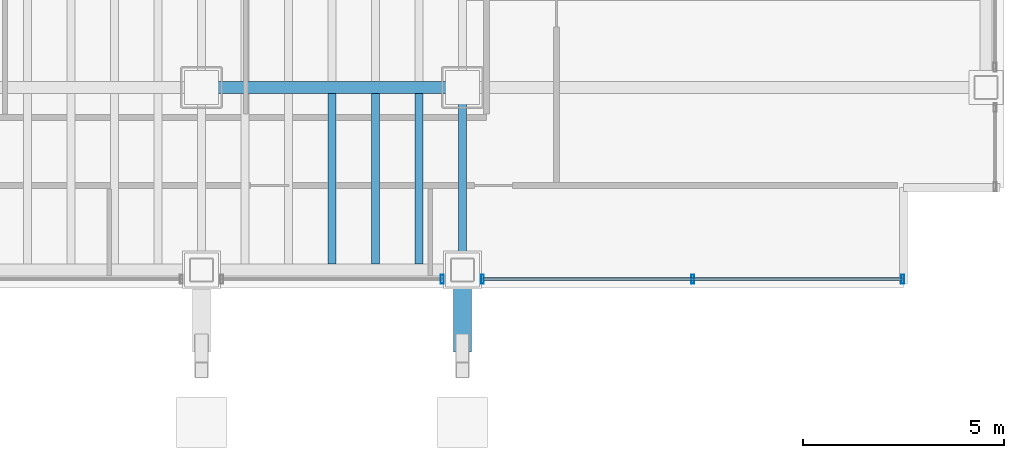
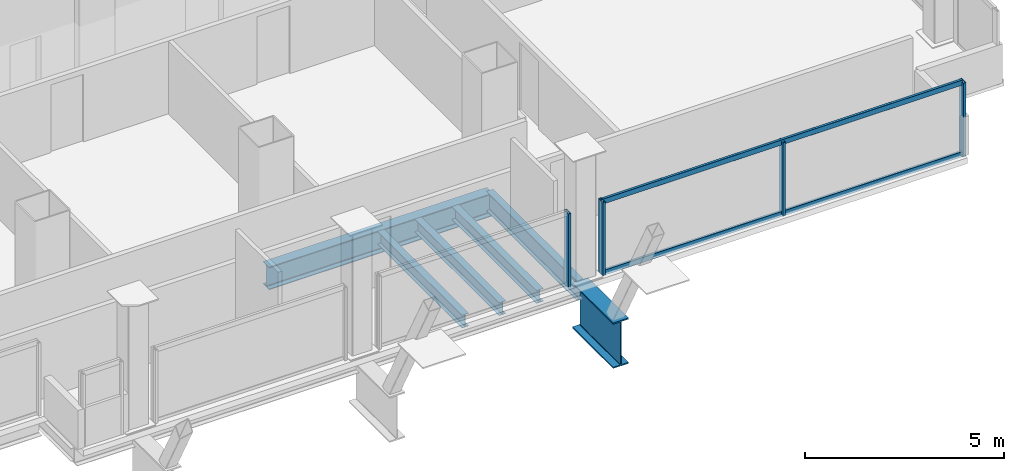
# One storey, part 8 of 21: 6 beams, 6 members, 2 elements without a shape of their own.
"""IFC4 building model written with IfcOpenShell, lengths in metres."""

from ifc_helpers import new_model, si_unit, direction, frame, origin, origin_2d, place, context, subcontext, project, spatial, hollow_rectangle, i_section, extrude, material, material_profile, profile_set, type_object, element, aggregate, save


model = new_model("IFC4")

# Units and contexts
model_context = context("Model", 3, precision=1e-05, world=origin(), true_north=direction((0.0, 1.0)))
body_context = subcontext(model_context, "Body", "Model", "MODEL_VIEW")
ifc_project = project(units=[si_unit("LENGTHUNIT", "METRE"), si_unit("AREAUNIT", "SQUARE_METRE"), si_unit("VOLUMEUNIT", "CUBIC_METRE"), si_unit("PLANEANGLEUNIT", "RADIAN"), si_unit("MASSUNIT", "GRAM", prefix="KILO")], contexts=[model_context])

# Site, building, storey
site_placement = place(None, origin())
site = spatial("IfcSite", under=ifc_project, at=site_placement, CompositionType="ELEMENT")
building_placement = place(site_placement, origin())
building = spatial("IfcBuilding", under=site, at=building_placement, Name="Noeulbin Bourse Tower", CompositionType="ELEMENT")
storey_placement = place(building_placement, frame((0.0, 0.0, 77.199951171875)))
storey = spatial("IfcBuildingStorey", under=building, at=storey_placement, Name="L19", CompositionType="ELEMENT", Elevation=77.199951171875)

# Beams
ifc_material_1 = material(Name="Steel S355", Category="steel")
ifc_material_profile_1 = material_profile(ifc_material_1, i_section(OverallWidth=0.199951171875, OverallDepth=0.60009765625, WebThickness=0.010986328125, FlangeThickness=0.01708984375, FilletRadius=0.02197265625, at=origin_2d()), Name="H-600x200x11x17", Category="LoadBearing")
ifc_profile_set_1 = profile_set([ifc_material_profile_1], Name="Steel S355")
beam_type_1 = type_object("IfcBeamType", Name="BM-GRD-600", PredefinedType="USERDEFINED", material=ifc_profile_set_1)
beam_1_placement = place(storey_placement, frame((44.0, 15.449951171875, -0.47998046875), z_axis=(0.0, 1.0, 0.0), x_axis=(-1.0, 0.0, 0.0)))
element("IfcBeam", 1, at=beam_1_placement, inside=storey, type_object=beam_type_1, Name="Tower Primary Girder NS L19-5.1", ObjectType="GIRDER", PredefinedType="USERDEFINED", context=body_context, shape_type="SweptSolid", body=[
    extrude(i_section(OverallWidth=0.199951171875, OverallDepth=0.60009765625, WebThickness=0.010986328125, FlangeThickness=0.01708984375, FilletRadius=0.02197265625, at=origin_2d()), origin(), (0.0, 0.0, 1.0), 4.550048828125),
])
ifc_material_profile_2 = material_profile(ifc_material_1, i_section(OverallWidth=0.300048828125, OverallDepth=0.699951171875, WebThickness=0.012939453125, FlangeThickness=0.02392578125, FilletRadius=0.02392578125, at=origin_2d()), Name="H-700x300x13x24", Category="LoadBearing")
ifc_profile_set_2 = profile_set([ifc_material_profile_2], Name="Steel S355")
beam_type_2 = type_object("IfcBeamType", Name="BM-GRD-700", PredefinedType="USERDEFINED", material=ifc_profile_set_2)
beam_2_placement = place(storey_placement, frame((37.5, 20.0, -0.530029296875), z_axis=(1.0, 0.0, 0.0), x_axis=(0.0, 1.0, 0.0)))
element("IfcBeam", 2, at=beam_2_placement, inside=storey, type_object=beam_type_2, Name="Tower Primary Girder EW L19-1.5", ObjectType="GIRDER", PredefinedType="USERDEFINED", context=body_context, shape_type="SweptSolid", body=[
    extrude(i_section(OverallWidth=0.300048828125, OverallDepth=0.699951171875, WebThickness=0.012939453125, FlangeThickness=0.02392578125, FilletRadius=0.02392578125, at=origin_2d()), origin(), (0.0, 0.0, 1.0), 6.5),
])
ifc_material_profile_3 = material_profile(ifc_material_1, i_section(OverallWidth=0.199951171875, OverallDepth=0.39990234375, WebThickness=0.008056640625, FlangeThickness=0.012939453125, FilletRadius=0.01611328125, at=origin_2d()), Name="H-400x200x8x13", Category="LoadBearing")
ifc_profile_set_3 = profile_set([ifc_material_profile_3], Name="Steel S355")
beam_type_3 = type_object("IfcBeamType", Name="BM-SEC-400", PredefinedType="BEAM", material=ifc_profile_set_3)
for number, where, z_axis, x_axis, name in (
    (3, (40.75, 15.60009765625, -0.3798828125), (0.0, 1.0, 0.0), (-1.0, 0.0, 0.0), "Tower Composite Joist L19-61"),
    (4, (41.833251953125, 15.60009765625, -0.3798828125), (0.0, 1.0, 0.0), (-1.0, 0.0, 0.0), "Tower Composite Joist L19-64"),
    (5, (42.916748046875, 15.60009765625, -0.3798828125), (0.0, 1.0, 0.0), (-1.0, 0.0, 0.0), "Tower Composite Joist L19-67"),
):
    element("IfcBeam", number, at=place(storey_placement, frame(where, z_axis=z_axis, x_axis=x_axis)), inside=storey, type_object=beam_type_3, Name=name, PredefinedType="BEAM", context=body_context, shape_type="SweptSolid", body=[
        extrude(i_section(OverallWidth=0.199951171875, OverallDepth=0.39990234375, WebThickness=0.008056640625, FlangeThickness=0.012939453125, FilletRadius=0.01611328125, at=origin_2d()), origin(), (0.0, 0.0, 1.0), 4.25),
    ])
ifc_material_2 = material(Name="Steel S460", Category="steel")
ifc_material_profile_4 = material_profile(ifc_material_2, i_section(OverallWidth=0.449951171875, OverallDepth=1.39990234375, WebThickness=0.02392578125, FlangeThickness=0.0400390625, FilletRadius=0.02392578125, at=origin_2d()), Name="PG-1400x450x24x40", Category="LoadBearing")
ifc_profile_set_4 = profile_set([ifc_material_profile_4], Name="Steel S460")
beam_type_4 = type_object("IfcBeamType", Name="BM-TRF-1400", PredefinedType="USERDEFINED", material=ifc_profile_set_4)
beam_3_placement = place(storey_placement, frame((44.0, 13.39990234375, -0.8798828125), z_axis=(0.0, 1.0, 0.0), x_axis=(-1.0, 0.0, 0.0)))
element("IfcBeam", 6, at=beam_3_placement, inside=storey, type_object=beam_type_4, Name="Transfer Outrigger Corbel L19-05", ObjectType="GIRDER", PredefinedType="USERDEFINED", context=body_context, shape_type="SweptSolid", body=[
    extrude(i_section(OverallWidth=0.449951171875, OverallDepth=1.39990234375, WebThickness=0.02392578125, FlangeThickness=0.0400390625, FilletRadius=0.02392578125, at=origin_2d()), origin(), (0.0, 0.0, 1.0), 2.050048828125),
])

# Curtain wall, member
ifc_material_3 = material(Name="Dark Solar-Control Double Glazing", Category="glass")
curtain_wall_type = type_object("IfcCurtainWallType", Name="CW-SYS-2", PredefinedType="NOTDEFINED", material=ifc_material_3)
curtain_wall_1_placement = place(storey_placement, origin())
curtain_wall_1 = element("IfcCurtainWall", 7, at=curtain_wall_1_placement, inside=storey, type_object=curtain_wall_type, Name="Unitised Curtain Wall CW-L19-S3-S3", PredefinedType="NOTDEFINED")
ifc_material_4 = material(Name="Anodised Aluminium 6063-T6", Category="aluminium")
ifc_material_profile_5 = material_profile(ifc_material_4, hollow_rectangle(XDim=0.074951171875, YDim=0.219970703125, WallThickness=0.0048828125, InnerFilletRadius=0.00244140625, OuterFilletRadius=0.0048828125, at=origin_2d()), Name="ALU-MULL-75x220x5", Category="LoadBearing")
ifc_profile_set_5 = profile_set([ifc_material_profile_5], Name="Anodised Aluminium 6063-T6")
member_type_1 = type_object("IfcMemberType", Name="CW-SYS-2-MUL", PredefinedType="MULLION", material=ifc_profile_set_5)
member_1_placement = place(storey_placement, frame((43.5, 15.219970703125, -0.02001953125), z_axis=(0.0, 0.0, 1.0), x_axis=(1.0, 0.0, 0.0)))
member_1 = element("IfcMember", 8, at=member_1_placement, type_object=member_type_1, Name="Curtain Wall Mullion CW-L19-S3-S3-M01", PredefinedType="MULLION", context=body_context, shape_type="SweptSolid", body=[
    extrude(hollow_rectangle(XDim=0.074951171875, YDim=0.219970703125, WallThickness=0.0048828125, InnerFilletRadius=0.00244140625, OuterFilletRadius=0.0048828125, at=origin_2d()), origin(), (0.0, 0.0, 1.0), 2.260009765625),
])
aggregate(curtain_wall_1, [member_1])

# Curtain wall, members
curtain_wall_2_placement = place(storey_placement, origin())
curtain_wall_2 = element("IfcCurtainWall", 9, at=curtain_wall_2_placement, inside=storey, type_object=curtain_wall_type, Name="Unitised Curtain Wall CW-L19-S3-S4", PredefinedType="NOTDEFINED")
member_2_placement = place(storey_placement, frame((44.5, 15.219970703125, -0.02001953125), z_axis=(0.0, 0.0, 1.0), x_axis=(1.0, 0.0, 0.0)))
member_2 = element("IfcMember", 10, at=member_2_placement, type_object=member_type_1, Name="Curtain Wall Mullion CW-L19-S3-S4-M00", PredefinedType="MULLION", context=body_context, shape_type="SweptSolid", body=[
    extrude(hollow_rectangle(XDim=0.074951171875, YDim=0.219970703125, WallThickness=0.0048828125, InnerFilletRadius=0.00244140625, OuterFilletRadius=0.0048828125, at=origin_2d()), origin(), (0.0, 0.0, 1.0), 2.260009765625),
])
member_3_placement = place(storey_placement, frame((49.739990234375, 15.219970703125, -0.02001953125), z_axis=(0.0, 0.0, 1.0), x_axis=(1.0, 0.0, 0.0)))
member_3 = element("IfcMember", 11, at=member_3_placement, type_object=member_type_1, Name="Curtain Wall Mullion CW-L19-S3-S4-M01", PredefinedType="MULLION", context=body_context, shape_type="SweptSolid", body=[
    extrude(hollow_rectangle(XDim=0.074951171875, YDim=0.219970703125, WallThickness=0.0048828125, InnerFilletRadius=0.00244140625, OuterFilletRadius=0.0048828125, at=origin_2d()), origin(), (0.0, 0.0, 1.0), 2.260009765625),
])
member_4_placement = place(storey_placement, frame((54.97998046875, 15.219970703125, -0.02001953125), z_axis=(0.0, 0.0, 1.0), x_axis=(1.0, 0.0, 0.0)))
member_4 = element("IfcMember", 12, at=member_4_placement, type_object=member_type_1, Name="Curtain Wall Mullion CW-L19-S3-S4-M02", PredefinedType="MULLION", context=body_context, shape_type="SweptSolid", body=[
    extrude(hollow_rectangle(XDim=0.074951171875, YDim=0.219970703125, WallThickness=0.0048828125, InnerFilletRadius=0.00244140625, OuterFilletRadius=0.0048828125, at=origin_2d()), origin(), (0.0, 0.0, 1.0), 2.260009765625),
])
ifc_material_profile_6 = material_profile(ifc_material_4, hollow_rectangle(XDim=0.074951171875, YDim=0.159912109375, WallThickness=0.0048828125, InnerFilletRadius=0.00244140625, OuterFilletRadius=0.0048828125, at=origin_2d()), Name="ALU-TRAN-75x160x5", Category="LoadBearing")
ifc_profile_set_6 = profile_set([ifc_material_profile_6], Name="Anodised Aluminium 6063-T6")
member_type_2 = type_object("IfcMemberType", Name="CW-SYS-2-TRN", PredefinedType="USERDEFINED", material=ifc_profile_set_6)
member_5_placement = place(storey_placement, frame((44.510009765625, 15.219970703125, 0.010009765625), z_axis=(1.0, 0.0, 0.0), x_axis=(0.0, 1.0, 0.0)))
member_5 = element("IfcMember", 13, at=member_5_placement, type_object=member_type_2, Name="Curtain Wall Transom CW-L19-S3-S4-T00", ObjectType="TRANSOM", PredefinedType="USERDEFINED", context=body_context, shape_type="SweptSolid", body=[
    extrude(hollow_rectangle(XDim=0.074951171875, YDim=0.159912109375, WallThickness=0.0048828125, InnerFilletRadius=0.00244140625, OuterFilletRadius=0.0048828125, at=origin_2d()), origin(), (0.0, 0.0, 1.0), 10.4599609375),
])
member_6_placement = place(storey_placement, frame((44.510009765625, 15.219970703125, 2.2099609375), z_axis=(1.0, 0.0, 0.0), x_axis=(0.0, 1.0, 0.0)))
member_6 = element("IfcMember", 14, at=member_6_placement, type_object=member_type_2, Name="Curtain Wall Transom CW-L19-S3-S4-T01", ObjectType="TRANSOM", PredefinedType="USERDEFINED", context=body_context, shape_type="SweptSolid", body=[
    extrude(hollow_rectangle(XDim=0.074951171875, YDim=0.159912109375, WallThickness=0.0048828125, InnerFilletRadius=0.00244140625, OuterFilletRadius=0.0048828125, at=origin_2d()), origin(), (0.0, 0.0, 1.0), 10.4599609375),
])
aggregate(curtain_wall_2, [member_2, member_3, member_4, member_5, member_6])

save(model, "model.ifc")
